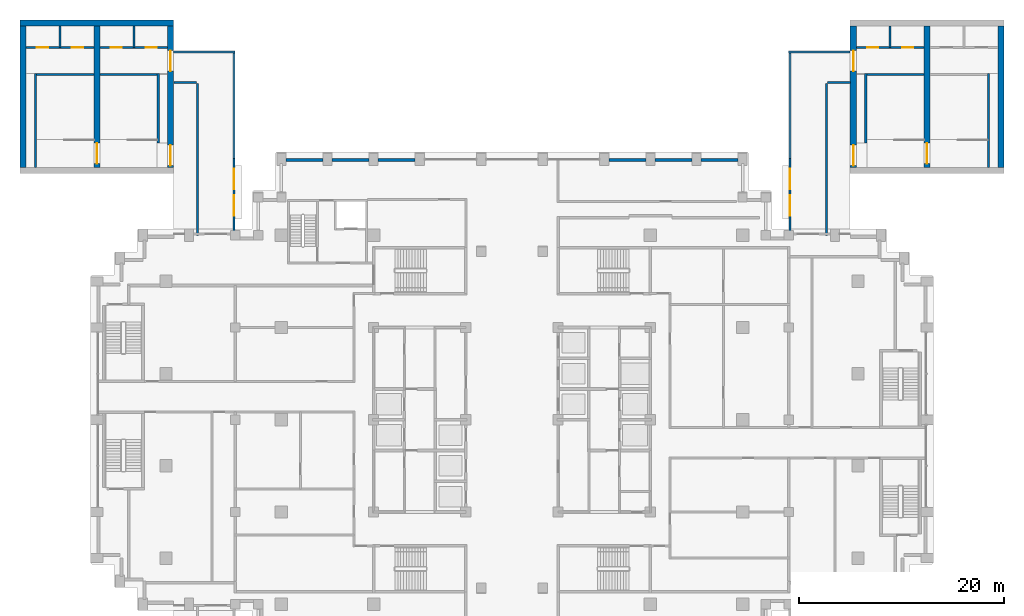
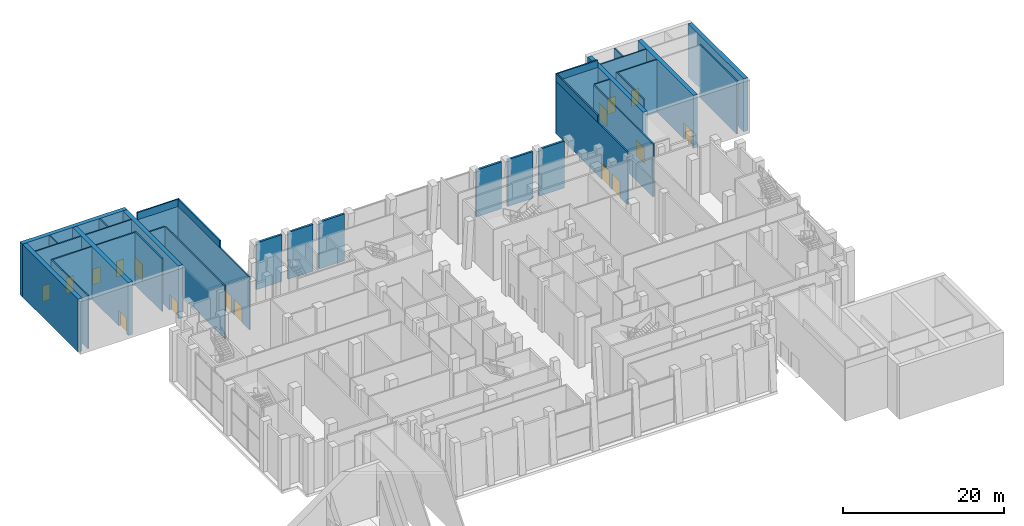
# One storey, part 16 of 24: 38 walls, 16 doors, 16 openings.
"""IFC4 building model written with IfcOpenShell, lengths in metres."""

from ifc_helpers import new_model, si_unit, direction, frame, frame_2d, origin, place, context, subcontext, project, spatial, rectangle, extrude, material, layer, layer_set, type_object, element, fill, save


model = new_model("IFC4")

# Units and contexts
model_context = context("Model", 3, precision=1e-05, world=origin(), true_north=direction((0.0, 1.0)))
body_context = subcontext(model_context, "Body", "Model", "MODEL_VIEW")
ifc_project = project(units=[si_unit("LENGTHUNIT", "METRE"), si_unit("AREAUNIT", "SQUARE_METRE"), si_unit("VOLUMEUNIT", "CUBIC_METRE"), si_unit("PLANEANGLEUNIT", "RADIAN"), si_unit("MASSUNIT", "GRAM", prefix="KILO")], contexts=[model_context])

# Site, building, storey
site_placement = place(None, origin())
site = spatial("IfcSite", under=ifc_project, at=site_placement, CompositionType="ELEMENT")
building_placement = place(site_placement, origin())
building = spatial("IfcBuilding", under=site, at=building_placement, Name="Corbelhall Arena Tower", CompositionType="ELEMENT")
storey_placement = place(building_placement, frame((0.0, 0.0, 60.0)))
storey = spatial("IfcBuildingStorey", under=building, at=storey_placement, Name="L08", CompositionType="ELEMENT", Elevation=60.0)

# Wall, openings, doors
ifc_material_1 = material(Name="Concrete C80/95", Category="concrete")
ifc_layer_1 = layer(ifc_material_1, 0.60009765625)
ifc_layer_set_1 = layer_set([ifc_layer_1], Name="AR-CORE-WALL-L08")
wall_type_1 = type_object("IfcWallType", Name="AR-CORE-WALL-L08", PredefinedType="SHEAR", material=ifc_layer_set_1)
wall_1_placement = place(storey_placement, frame((33.300048828125, 24.60009765625, 0.0), z_axis=(0.0, 0.0, 1.0), x_axis=(0.0, 1.0, 0.0)))
wall_1 = element("IfcWall", 1, at=wall_1_placement, inside=storey, type_object=wall_type_1, Name="Core NE wall", PredefinedType="SHEAR", context=body_context, shape_type="SweptSolid", body=[
    extrude(rectangle(XDim=13.7998046875, YDim=0.60009765625, at=frame_2d((6.89990234375, 0.0))), origin(), (0.0, 0.0, 1.0), 8.0),
])
opening_1_placement = place(wall_1_placement, frame((9.39990234375, 0.0, 0.0)))
opening_1 = element("IfcOpeningElement", 2, at=opening_1_placement, cuts=wall_1, Name="Opening DA0297", PredefinedType="OPENING", context=body_context, shape_type="SweptSolid", body=[
    extrude(rectangle(XDim=2.0, YDim=2.39990234375, at=frame_2d((1.0, 1.199951171875))), frame((0.0, 0.300048828125, 0.0), z_axis=(0.0, -1.0, 0.0), x_axis=(1.0, 0.0, 0.0)), (0.0, 0.0, 1.0), 0.60009765625),
])
opening_2_placement = place(wall_1_placement, frame((0.199951171875, 0.0, 0.0)))
opening_2 = element("IfcOpeningElement", 3, at=opening_2_placement, cuts=wall_1, Name="Opening DA0298", PredefinedType="OPENING", context=body_context, shape_type="SweptSolid", body=[
    extrude(rectangle(XDim=2.0, YDim=2.39990234375, at=frame_2d((1.0, 1.199951171875))), frame((0.0, 0.300048828125, 0.0), z_axis=(0.0, -1.0, 0.0), x_axis=(1.0, 0.0, 0.0)), (0.0, 0.0, 1.0), 0.60009765625),
])
ifc_material_2 = material(Name="Steel and glass", Category="steel")
door_type_1 = type_object("IfcDoorType", Name="AR-EXIT-DOOR", OperationType="DOUBLE_DOOR_SINGLE_SWING", PredefinedType="DOOR", material=ifc_material_2)
door_1_placement = place(opening_1_placement, origin())
door_1 = element("IfcDoor", 4, at=door_1_placement, inside=storey, type_object=door_type_1, Name="Core NE lobby door", OperationType="DOUBLE_DOOR_SINGLE_SWING", OverallHeight=2.39990234375, OverallWidth=2.0, PredefinedType="DOOR", context=body_context, shape_type="SweptSolid", body=[
    extrude(rectangle(XDim=2.0, YDim=2.39990234375, at=frame_2d((1.0, 1.199951171875))), frame((0.0, 0.02490234375, 0.0), z_axis=(0.0, -1.0, 0.0), x_axis=(1.0, 0.0, 0.0)), (0.0, 0.0, 1.0), 0.050048828125),
])
fill(opening_1, door_1)
door_2_placement = place(opening_2_placement, origin())
door_2 = element("IfcDoor", 5, at=door_2_placement, inside=storey, type_object=door_type_1, Name="Core NE stair door", OperationType="DOUBLE_DOOR_SINGLE_SWING", OverallHeight=2.39990234375, OverallWidth=2.0, PredefinedType="DOOR", context=body_context, shape_type="SweptSolid", body=[
    extrude(rectangle(XDim=2.0, YDim=2.39990234375, at=frame_2d((1.0, 1.199951171875))), frame((0.0, 0.02490234375, 0.0), z_axis=(0.0, -1.0, 0.0), x_axis=(1.0, 0.0, 0.0)), (0.0, 0.0, 1.0), 0.050048828125),
])
fill(opening_2, door_2)

# Wall
wall_2_placement = place(storey_placement, frame((47.699951171875, 24.60009765625, 0.0), z_axis=(0.0, 0.0, 1.0), x_axis=(0.0, 1.0, 0.0)))
element("IfcWall", 6, at=wall_2_placement, inside=storey, type_object=wall_type_1, Name="Core NE wall", PredefinedType="SHEAR", context=body_context, shape_type="SweptSolid", body=[
    extrude(rectangle(XDim=13.7998046875, YDim=0.60009765625, at=frame_2d((6.89990234375, 0.0))), origin(), (0.0, 0.0, 1.0), 8.0),
])

# Wall, opening, door
wall_3_placement = place(storey_placement, frame((40.5, 24.60009765625, 0.0), z_axis=(0.0, 0.0, 1.0), x_axis=(0.0, 1.0, 0.0)))
wall_3 = element("IfcWall", 7, at=wall_3_placement, inside=storey, type_object=wall_type_1, Name="Core NE wall", PredefinedType="SHEAR", context=body_context, shape_type="SweptSolid", body=[
    extrude(rectangle(XDim=13.7998046875, YDim=0.60009765625, at=frame_2d((6.89990234375, 0.0))), origin(), (0.0, 0.0, 1.0), 8.0),
])
opening_3_placement = place(wall_3_placement, frame((0.39990234375, 0.0, 0.0)))
opening_3 = element("IfcOpeningElement", 8, at=opening_3_placement, cuts=wall_3, Name="Opening DA0049", PredefinedType="OPENING", context=body_context, shape_type="SweptSolid", body=[
    extrude(rectangle(XDim=2.0, YDim=2.39990234375, at=frame_2d((1.0, 1.199951171875))), frame((0.0, 0.300048828125, 0.0), z_axis=(0.0, -1.0, 0.0), x_axis=(1.0, 0.0, 0.0)), (0.0, 0.0, 1.0), 0.60009765625),
])
door_3_placement = place(opening_3_placement, origin())
door_3 = element("IfcDoor", 9, at=door_3_placement, inside=storey, type_object=door_type_1, Name="Stair hall door NE", OperationType="DOUBLE_DOOR_SINGLE_SWING", OverallHeight=2.39990234375, OverallWidth=2.0, PredefinedType="DOOR", context=body_context, shape_type="SweptSolid", body=[
    extrude(rectangle(XDim=2.0, YDim=2.39990234375, at=frame_2d((1.0, 1.199951171875))), frame((0.0, 0.02490234375, 0.0), z_axis=(0.0, -1.0, 0.0), x_axis=(1.0, 0.0, 0.0)), (0.0, 0.0, 1.0), 0.050048828125),
])
fill(opening_3, door_3)

# Walls
wall_4_placement = place(storey_placement, frame((-48.0, 38.699951171875, 0.0), z_axis=(0.0, 0.0, 1.0), x_axis=(1.0, 0.0, 0.0)))
element("IfcWall", 10, at=wall_4_placement, inside=storey, type_object=wall_type_1, Name="Core NW wall", PredefinedType="SHEAR", context=body_context, shape_type="SweptSolid", body=[
    extrude(rectangle(XDim=15.0, YDim=0.60009765625, at=frame_2d((7.5, 0.0))), origin(), (0.0, 0.0, 1.0), 8.0),
])
wall_5_placement = place(storey_placement, frame((-47.699951171875, 24.60009765625, 0.0), z_axis=(0.0, 0.0, 1.0), x_axis=(0.0, 1.0, 0.0)))
element("IfcWall", 11, at=wall_5_placement, inside=storey, type_object=wall_type_1, Name="Core NW wall", PredefinedType="SHEAR", context=body_context, shape_type="SweptSolid", body=[
    extrude(rectangle(XDim=13.7998046875, YDim=0.60009765625, at=frame_2d((6.89990234375, 0.0))), origin(), (0.0, 0.0, 1.0), 8.0),
])

# Wall, openings, doors
wall_6_placement = place(storey_placement, frame((-33.300048828125, 24.60009765625, 0.0), z_axis=(0.0, 0.0, 1.0), x_axis=(0.0, 1.0, 0.0)))
wall_6 = element("IfcWall", 12, at=wall_6_placement, inside=storey, type_object=wall_type_1, Name="Core NW wall", PredefinedType="SHEAR", context=body_context, shape_type="SweptSolid", body=[
    extrude(rectangle(XDim=13.7998046875, YDim=0.60009765625, at=frame_2d((6.89990234375, 0.0))), origin(), (0.0, 0.0, 1.0), 8.0),
])
opening_4_placement = place(wall_6_placement, frame((9.39990234375, 0.0, 0.0)))
opening_4 = element("IfcOpeningElement", 13, at=opening_4_placement, cuts=wall_6, Name="Opening DA0303", PredefinedType="OPENING", context=body_context, shape_type="SweptSolid", body=[
    extrude(rectangle(XDim=2.0, YDim=2.39990234375, at=frame_2d((1.0, 1.199951171875))), frame((0.0, 0.300048828125, 0.0), z_axis=(0.0, -1.0, 0.0), x_axis=(1.0, 0.0, 0.0)), (0.0, 0.0, 1.0), 0.60009765625),
])
opening_5_placement = place(wall_6_placement, frame((0.199951171875, 0.0, 0.0)))
opening_5 = element("IfcOpeningElement", 14, at=opening_5_placement, cuts=wall_6, Name="Opening DA0304", PredefinedType="OPENING", context=body_context, shape_type="SweptSolid", body=[
    extrude(rectangle(XDim=2.0, YDim=2.39990234375, at=frame_2d((1.0, 1.199951171875))), frame((0.0, 0.300048828125, 0.0), z_axis=(0.0, -1.0, 0.0), x_axis=(1.0, 0.0, 0.0)), (0.0, 0.0, 1.0), 0.60009765625),
])
door_4_placement = place(opening_4_placement, frame((2.0, 0.0, 0.0), z_axis=(0.0, 0.0, 1.0), x_axis=(-1.0, 0.0, 0.0)))
door_4 = element("IfcDoor", 15, at=door_4_placement, inside=storey, type_object=door_type_1, Name="Core NW lobby door", OperationType="DOUBLE_DOOR_SINGLE_SWING", OverallHeight=2.39990234375, OverallWidth=2.0, PredefinedType="DOOR", context=body_context, shape_type="SweptSolid", body=[
    extrude(rectangle(XDim=2.0, YDim=2.39990234375, at=frame_2d((1.0, 1.199951171875))), frame((0.0, 0.02490234375, 0.0), z_axis=(0.0, -1.0, 0.0), x_axis=(1.0, 0.0, 0.0)), (0.0, 0.0, 1.0), 0.050048828125),
])
fill(opening_4, door_4)
door_5_placement = place(opening_5_placement, frame((2.0, 0.0, 0.0), z_axis=(0.0, 0.0, 1.0), x_axis=(-1.0, 0.0, 0.0)))
door_5 = element("IfcDoor", 16, at=door_5_placement, inside=storey, type_object=door_type_1, Name="Core NW stair door", OperationType="DOUBLE_DOOR_SINGLE_SWING", OverallHeight=2.39990234375, OverallWidth=2.0, PredefinedType="DOOR", context=body_context, shape_type="SweptSolid", body=[
    extrude(rectangle(XDim=2.0, YDim=2.39990234375, at=frame_2d((1.0, 1.199951171875))), frame((0.0, 0.02490234375, 0.0), z_axis=(0.0, -1.0, 0.0), x_axis=(1.0, 0.0, 0.0)), (0.0, 0.0, 1.0), 0.050048828125),
])
fill(opening_5, door_5)

# Wall, opening, door
wall_7_placement = place(storey_placement, frame((-40.5, 24.60009765625, 0.0), z_axis=(0.0, 0.0, 1.0), x_axis=(0.0, 1.0, 0.0)))
wall_7 = element("IfcWall", 17, at=wall_7_placement, inside=storey, type_object=wall_type_1, Name="Core NW wall", PredefinedType="SHEAR", context=body_context, shape_type="SweptSolid", body=[
    extrude(rectangle(XDim=13.7998046875, YDim=0.60009765625, at=frame_2d((6.89990234375, 0.0))), origin(), (0.0, 0.0, 1.0), 8.0),
])
opening_6_placement = place(wall_7_placement, frame((0.39990234375, 0.0, 0.0)))
opening_6 = element("IfcOpeningElement", 18, at=opening_6_placement, cuts=wall_7, Name="Opening DA0050", PredefinedType="OPENING", context=body_context, shape_type="SweptSolid", body=[
    extrude(rectangle(XDim=2.0, YDim=2.39990234375, at=frame_2d((1.0, 1.199951171875))), frame((0.0, 0.300048828125, 0.0), z_axis=(0.0, -1.0, 0.0), x_axis=(1.0, 0.0, 0.0)), (0.0, 0.0, 1.0), 0.60009765625),
])
door_6_placement = place(opening_6_placement, origin())
door_6 = element("IfcDoor", 19, at=door_6_placement, inside=storey, type_object=door_type_1, Name="Stair hall door NW", OperationType="DOUBLE_DOOR_SINGLE_SWING", OverallHeight=2.39990234375, OverallWidth=2.0, PredefinedType="DOOR", context=body_context, shape_type="SweptSolid", body=[
    extrude(rectangle(XDim=2.0, YDim=2.39990234375, at=frame_2d((1.0, 1.199951171875))), frame((0.0, 0.02490234375, 0.0), z_axis=(0.0, -1.0, 0.0), x_axis=(1.0, 0.0, 0.0)), (0.0, 0.0, 1.0), 0.050048828125),
])
fill(opening_6, door_6)

# Wall, openings, doors
ifc_material_3 = material(Name="Reinforced concrete C40/50", Category="concrete")
ifc_layer_2 = layer(ifc_material_3, 0.199951171875)
ifc_layer_set_2 = layer_set([ifc_layer_2], Name="AR-LINK-WALL")
wall_type_2 = type_object("IfcWallType", Name="AR-LINK-WALL", PredefinedType="SOLIDWALL", material=ifc_layer_set_2)
wall_8_placement = place(storey_placement, frame((27.10009765625, 18.10009765625, 0.0), z_axis=(0.0, 0.0, 1.0), x_axis=(0.0, 1.0, 0.0)))
wall_8 = element("IfcWall", 20, at=wall_8_placement, inside=storey, type_object=wall_type_2, Name="Gallery LK1 wall", PredefinedType="SOLIDWALL", context=body_context, shape_type="SweptSolid", body=[
    extrude(rectangle(XDim=17.7998046875, YDim=0.199951171875, at=frame_2d((8.89990234375, 0.0))), origin(), (0.0, 0.0, 1.0), 8.0),
])
opening_7_placement = place(wall_8_placement, frame((1.800048828125, 0.0, 0.0)))
opening_7 = element("IfcOpeningElement", 21, at=opening_7_placement, cuts=wall_8, Name="Opening DA0295", PredefinedType="OPENING", context=body_context, shape_type="SweptSolid", body=[
    extrude(rectangle(XDim=2.0, YDim=2.39990234375, at=frame_2d((1.0, 1.199951171875))), frame((0.0, 0.10009765625, 0.0), z_axis=(0.0, -1.0, 0.0), x_axis=(1.0, 0.0, 0.0)), (0.0, 0.0, 1.0), 0.199951171875),
])
opening_8_placement = place(wall_8_placement, frame((4.39990234375, 0.0, 0.0)))
opening_8 = element("IfcOpeningElement", 22, at=opening_8_placement, cuts=wall_8, Name="Opening DA0296", PredefinedType="OPENING", context=body_context, shape_type="SweptSolid", body=[
    extrude(rectangle(XDim=2.0, YDim=2.39990234375, at=frame_2d((1.0, 1.199951171875))), frame((0.0, 0.10009765625, 0.0), z_axis=(0.0, -1.0, 0.0), x_axis=(1.0, 0.0, 0.0)), (0.0, 0.0, 1.0), 0.199951171875),
])
door_7_placement = place(opening_7_placement, origin())
door_7 = element("IfcDoor", 23, at=door_7_placement, inside=storey, type_object=door_type_1, Name="Gallery LK1 plate door 1", OperationType="DOUBLE_DOOR_SINGLE_SWING", OverallHeight=2.39990234375, OverallWidth=2.0, PredefinedType="DOOR", context=body_context, shape_type="SweptSolid", body=[
    extrude(rectangle(XDim=2.0, YDim=2.39990234375, at=frame_2d((1.0, 1.199951171875))), frame((0.0, 0.02490234375, 0.0), z_axis=(0.0, -1.0, 0.0), x_axis=(1.0, 0.0, 0.0)), (0.0, 0.0, 1.0), 0.050048828125),
])
fill(opening_7, door_7)
door_8_placement = place(opening_8_placement, origin())
door_8 = element("IfcDoor", 24, at=door_8_placement, inside=storey, type_object=door_type_1, Name="Gallery LK1 plate door 2", OperationType="DOUBLE_DOOR_SINGLE_SWING", OverallHeight=2.39990234375, OverallWidth=2.0, PredefinedType="DOOR", context=body_context, shape_type="SweptSolid", body=[
    extrude(rectangle(XDim=2.0, YDim=2.39990234375, at=frame_2d((1.0, 1.199951171875))), frame((0.0, 0.02490234375, 0.0), z_axis=(0.0, -1.0, 0.0), x_axis=(1.0, 0.0, 0.0)), (0.0, 0.0, 1.0), 0.050048828125),
])
fill(opening_8, door_8)

# Walls
wall_9_placement = place(storey_placement, frame((30.699951171875, 18.0, 0.0), z_axis=(0.0, 0.0, 1.0), x_axis=(0.0, 1.0, 0.0)))
element("IfcWall", 25, at=wall_9_placement, inside=storey, type_object=wall_type_2, Name="Gallery LK1 wall", PredefinedType="SOLIDWALL", context=body_context, shape_type="SweptSolid", body=[
    extrude(rectangle(XDim=14.800048828125, YDim=0.199951171875, at=frame_2d((7.39990234375, 0.0))), origin(), (0.0, 0.0, 1.0), 8.0),
])
wall_10_placement = place(storey_placement, frame((30.800048828125, 32.89990234375, 0.0), z_axis=(0.0, 0.0, 1.0), x_axis=(1.0, 0.0, 0.0)))
element("IfcWall", 26, at=wall_10_placement, inside=storey, type_object=wall_type_2, Name="Gallery LK1 wall", PredefinedType="SOLIDWALL", context=body_context, shape_type="SweptSolid", body=[
    extrude(rectangle(XDim=2.199951171875, YDim=0.199951171875, at=frame_2d((1.10009765625, 0.0))), origin(), (0.0, 0.0, 1.0), 8.0),
])
wall_11_placement = place(storey_placement, frame((27.0, 35.89990234375, 0.0), z_axis=(0.0, 0.0, 1.0), x_axis=(1.0, 0.0, 0.0)))
element("IfcWall", 27, at=wall_11_placement, inside=storey, type_object=wall_type_2, Name="Gallery LK1 wall", PredefinedType="SOLIDWALL", context=body_context, shape_type="SweptSolid", body=[
    extrude(rectangle(XDim=6.0, YDim=0.199951171875, at=frame_2d((3.0, 0.0))), origin(), (0.0, 0.0, 1.0), 8.0),
])

# Wall, openings, doors
wall_12_placement = place(storey_placement, frame((-27.10009765625, 18.10009765625, 0.0), z_axis=(0.0, 0.0, 1.0), x_axis=(0.0, 1.0, 0.0)))
wall_12 = element("IfcWall", 28, at=wall_12_placement, inside=storey, type_object=wall_type_2, Name="Gallery LK2 wall", PredefinedType="SOLIDWALL", context=body_context, shape_type="SweptSolid", body=[
    extrude(rectangle(XDim=17.7998046875, YDim=0.199951171875, at=frame_2d((8.89990234375, 0.0))), origin(), (0.0, 0.0, 1.0), 8.0),
])
opening_9_placement = place(wall_12_placement, frame((1.800048828125, 0.0, 0.0)))
opening_9 = element("IfcOpeningElement", 29, at=opening_9_placement, cuts=wall_12, Name="Opening DA0301", PredefinedType="OPENING", context=body_context, shape_type="SweptSolid", body=[
    extrude(rectangle(XDim=2.0, YDim=2.39990234375, at=frame_2d((1.0, 1.199951171875))), frame((0.0, 0.10009765625, 0.0), z_axis=(0.0, -1.0, 0.0), x_axis=(1.0, 0.0, 0.0)), (0.0, 0.0, 1.0), 0.199951171875),
])
opening_10_placement = place(wall_12_placement, frame((4.39990234375, 0.0, 0.0)))
opening_10 = element("IfcOpeningElement", 30, at=opening_10_placement, cuts=wall_12, Name="Opening DA0302", PredefinedType="OPENING", context=body_context, shape_type="SweptSolid", body=[
    extrude(rectangle(XDim=2.0, YDim=2.39990234375, at=frame_2d((1.0, 1.199951171875))), frame((0.0, 0.10009765625, 0.0), z_axis=(0.0, -1.0, 0.0), x_axis=(1.0, 0.0, 0.0)), (0.0, 0.0, 1.0), 0.199951171875),
])
door_9_placement = place(opening_9_placement, frame((2.0, 0.0, 0.0), z_axis=(0.0, 0.0, 1.0), x_axis=(-1.0, 0.0, 0.0)))
door_9 = element("IfcDoor", 31, at=door_9_placement, inside=storey, type_object=door_type_1, Name="Gallery LK2 plate door 1", OperationType="DOUBLE_DOOR_SINGLE_SWING", OverallHeight=2.39990234375, OverallWidth=2.0, PredefinedType="DOOR", context=body_context, shape_type="SweptSolid", body=[
    extrude(rectangle(XDim=2.0, YDim=2.39990234375, at=frame_2d((1.0, 1.199951171875))), frame((0.0, 0.02490234375, 0.0), z_axis=(0.0, -1.0, 0.0), x_axis=(1.0, 0.0, 0.0)), (0.0, 0.0, 1.0), 0.050048828125),
])
fill(opening_9, door_9)
door_10_placement = place(opening_10_placement, frame((2.0, 0.0, 0.0), z_axis=(0.0, 0.0, 1.0), x_axis=(-1.0, 0.0, 0.0)))
door_10 = element("IfcDoor", 32, at=door_10_placement, inside=storey, type_object=door_type_1, Name="Gallery LK2 plate door 2", OperationType="DOUBLE_DOOR_SINGLE_SWING", OverallHeight=2.39990234375, OverallWidth=2.0, PredefinedType="DOOR", context=body_context, shape_type="SweptSolid", body=[
    extrude(rectangle(XDim=2.0, YDim=2.39990234375, at=frame_2d((1.0, 1.199951171875))), frame((0.0, 0.02490234375, 0.0), z_axis=(0.0, -1.0, 0.0), x_axis=(1.0, 0.0, 0.0)), (0.0, 0.0, 1.0), 0.050048828125),
])
fill(opening_10, door_10)

# Walls
wall_13_placement = place(storey_placement, frame((-30.699951171875, 18.0, 0.0), z_axis=(0.0, 0.0, 1.0), x_axis=(0.0, 1.0, 0.0)))
element("IfcWall", 33, at=wall_13_placement, inside=storey, type_object=wall_type_2, Name="Gallery LK2 wall", PredefinedType="SOLIDWALL", context=body_context, shape_type="SweptSolid", body=[
    extrude(rectangle(XDim=14.800048828125, YDim=0.199951171875, at=frame_2d((7.39990234375, 0.0))), origin(), (0.0, 0.0, 1.0), 8.0),
])
wall_14_placement = place(storey_placement, frame((-33.0, 32.89990234375, 0.0), z_axis=(0.0, 0.0, 1.0), x_axis=(1.0, 0.0, 0.0)))
element("IfcWall", 34, at=wall_14_placement, inside=storey, type_object=wall_type_2, Name="Gallery LK2 wall", PredefinedType="SOLIDWALL", context=body_context, shape_type="SweptSolid", body=[
    extrude(rectangle(XDim=2.199951171875, YDim=0.199951171875, at=frame_2d((1.10009765625, 0.0))), origin(), (0.0, 0.0, 1.0), 8.0),
])
wall_15_placement = place(storey_placement, frame((-33.0, 35.89990234375, 0.0), z_axis=(0.0, 0.0, 1.0), x_axis=(1.0, 0.0, 0.0)))
element("IfcWall", 35, at=wall_15_placement, inside=storey, type_object=wall_type_2, Name="Gallery LK2 wall", PredefinedType="SOLIDWALL", context=body_context, shape_type="SweptSolid", body=[
    extrude(rectangle(XDim=6.0, YDim=0.199951171875, at=frame_2d((3.0, 0.0))), origin(), (0.0, 0.0, 1.0), 8.0),
])
ifc_layer_3 = layer(ifc_material_3, 0.199951171875)
ifc_layer_set_3 = layer_set([ifc_layer_3], Name="AR-PARAPET")
wall_type_3 = type_object("IfcWallType", Name="AR-PARAPET", PredefinedType="PARAPET", material=ifc_layer_set_3)
wall_16_placement = place(storey_placement, frame((27.0, 35.89990234375, 8.0), z_axis=(0.0, 0.0, 1.0), x_axis=(1.0, 0.0, 0.0)))
element("IfcWall", 36, at=wall_16_placement, inside=storey, type_object=wall_type_3, Name="Gallery LK1 parapet", PredefinedType="PARAPET", context=body_context, shape_type="SweptSolid", body=[
    extrude(rectangle(XDim=6.0, YDim=0.199951171875, at=frame_2d((3.0, 0.0))), origin(), (0.0, 0.0, 1.0), 1.10009765625),
])
wall_17_placement = place(storey_placement, frame((27.10009765625, 25.5, 8.0), z_axis=(0.0, 0.0, 1.0), x_axis=(0.0, 1.0, 0.0)))
element("IfcWall", 37, at=wall_17_placement, inside=storey, type_object=wall_type_3, Name="Gallery LK1 parapet", PredefinedType="PARAPET", context=body_context, shape_type="SweptSolid", body=[
    extrude(rectangle(XDim=10.300048828125, YDim=0.199951171875, at=frame_2d((5.14990234375, 0.0))), origin(), (0.0, 0.0, 1.0), 1.10009765625),
])
wall_18_placement = place(storey_placement, frame((-33.0, 35.89990234375, 8.0), z_axis=(0.0, 0.0, 1.0), x_axis=(1.0, 0.0, 0.0)))
element("IfcWall", 38, at=wall_18_placement, inside=storey, type_object=wall_type_3, Name="Gallery LK2 parapet", PredefinedType="PARAPET", context=body_context, shape_type="SweptSolid", body=[
    extrude(rectangle(XDim=6.0, YDim=0.199951171875, at=frame_2d((3.0, 0.0))), origin(), (0.0, 0.0, 1.0), 1.10009765625),
])
wall_19_placement = place(storey_placement, frame((-27.10009765625, 25.5, 8.0), z_axis=(0.0, 0.0, 1.0), x_axis=(0.0, 1.0, 0.0)))
element("IfcWall", 39, at=wall_19_placement, inside=storey, type_object=wall_type_3, Name="Gallery LK2 parapet", PredefinedType="PARAPET", context=body_context, shape_type="SweptSolid", body=[
    extrude(rectangle(XDim=10.300048828125, YDim=0.199951171875, at=frame_2d((5.14990234375, 0.0))), origin(), (0.0, 0.0, 1.0), 1.10009765625),
])

# Wall, openings, doors
ifc_layer_4 = layer(ifc_material_3, 0.199951171875)
ifc_layer_set_4 = layer_set([ifc_layer_4], Name="AR-SHAFT-WALL")
wall_type_4 = type_object("IfcWallType", Name="AR-SHAFT-WALL", PredefinedType="SHEAR", material=ifc_layer_set_4)
wall_20_placement = place(storey_placement, frame((33.60009765625, 36.300048828125, 0.0), z_axis=(0.0, 0.0, 1.0), x_axis=(1.0, 0.0, 0.0)))
wall_20 = element("IfcWall", 40, at=wall_20_placement, inside=storey, type_object=wall_type_4, Name="Lift lobby wall NE", PredefinedType="SHEAR", context=body_context, shape_type="SweptSolid", body=[
    extrude(rectangle(XDim=6.599853515625, YDim=0.199951171875, at=frame_2d((3.2998046875, 0.0))), origin(), (0.0, 0.0, 1.0), 8.0),
])
opening_11_placement = place(wall_20_placement, frame((1.050048828125, 0.0, 0.0)))
opening_11 = element("IfcOpeningElement", 41, at=opening_11_placement, cuts=wall_20, Name="Opening LD0157", PredefinedType="OPENING", context=body_context, shape_type="SweptSolid", body=[
    extrude(rectangle(XDim=1.10009765625, YDim=2.39990234375, at=frame_2d((0.550048828125, 1.199951171875))), frame((0.0, 0.10009765625, 0.0), z_axis=(0.0, -1.0, 0.0), x_axis=(1.0, 0.0, 0.0)), (0.0, 0.0, 1.0), 0.199951171875),
])
opening_12_placement = place(wall_20_placement, frame((4.449951171875, 0.0, 0.0)))
opening_12 = element("IfcOpeningElement", 42, at=opening_12_placement, cuts=wall_20, Name="Opening LD0158", PredefinedType="OPENING", context=body_context, shape_type="SweptSolid", body=[
    extrude(rectangle(XDim=1.10009765625, YDim=2.39990234375, at=frame_2d((0.550048828125, 1.199951171875))), frame((0.0, 0.10009765625, 0.0), z_axis=(0.0, -1.0, 0.0), x_axis=(1.0, 0.0, 0.0)), (0.0, 0.0, 1.0), 0.199951171875),
])
ifc_material_4 = material(Name="Stainless steel A4", Category="steel")
door_type_2 = type_object("IfcDoorType", Name="AR-LANDING-DOOR", OperationType="DOUBLE_DOOR_SLIDING", PredefinedType="DOOR", material=ifc_material_4)
door_11_placement = place(opening_11_placement, origin())
door_11 = element("IfcDoor", 43, at=door_11_placement, inside=storey, type_object=door_type_2, Name="Landing door NE LF1 L08", OperationType="DOUBLE_DOOR_SLIDING", OverallHeight=2.39990234375, OverallWidth=1.10009765625, PredefinedType="DOOR", context=body_context, shape_type="SweptSolid", body=[
    extrude(rectangle(XDim=1.10009765625, YDim=2.39990234375, at=frame_2d((0.550048828125, 1.199951171875))), frame((0.0, 0.02490234375, 0.0), z_axis=(0.0, -1.0, 0.0), x_axis=(1.0, 0.0, 0.0)), (0.0, 0.0, 1.0), 0.050048828125),
])
fill(opening_11, door_11)
door_12_placement = place(opening_12_placement, origin())
door_12 = element("IfcDoor", 44, at=door_12_placement, inside=storey, type_object=door_type_2, Name="Landing door NE LF2 L08", OperationType="DOUBLE_DOOR_SLIDING", OverallHeight=2.39990234375, OverallWidth=1.10009765625, PredefinedType="DOOR", context=body_context, shape_type="SweptSolid", body=[
    extrude(rectangle(XDim=1.10009765625, YDim=2.39990234375, at=frame_2d((0.550048828125, 1.199951171875))), frame((0.0, 0.02490234375, 0.0), z_axis=(0.0, -1.0, 0.0), x_axis=(1.0, 0.0, 0.0)), (0.0, 0.0, 1.0), 0.050048828125),
])
fill(opening_12, door_12)

# Wall
wall_21_placement = place(storey_placement, frame((36.89990234375, 36.300048828125, 0.0), z_axis=(0.0, 0.0, 1.0), x_axis=(0.0, 1.0, 0.0)))
element("IfcWall", 45, at=wall_21_placement, inside=storey, type_object=wall_type_4, Name="Shaft wall NE", PredefinedType="SHEAR", context=body_context, shape_type="SweptSolid", body=[
    extrude(rectangle(XDim=2.099853515625, YDim=0.199951171875, at=frame_2d((1.0498046875, 0.0))), origin(), (0.0, 0.0, 1.0), 8.0),
])

# Wall, openings, doors
wall_22_placement = place(storey_placement, frame((-47.39990234375, 36.300048828125, 0.0), z_axis=(0.0, 0.0, 1.0), x_axis=(1.0, 0.0, 0.0)))
wall_22 = element("IfcWall", 46, at=wall_22_placement, inside=storey, type_object=wall_type_4, Name="Lift lobby wall NW", PredefinedType="SHEAR", context=body_context, shape_type="SweptSolid", body=[
    extrude(rectangle(XDim=6.599853515625, YDim=0.199951171875, at=frame_2d((3.2998046875, 0.0))), origin(), (0.0, 0.0, 1.0), 8.0),
])
opening_13_placement = place(wall_22_placement, frame((1.050048828125, 0.0, 0.0)))
opening_13 = element("IfcOpeningElement", 47, at=opening_13_placement, cuts=wall_22, Name="Opening LD0201", PredefinedType="OPENING", context=body_context, shape_type="SweptSolid", body=[
    extrude(rectangle(XDim=1.10009765625, YDim=2.39990234375, at=frame_2d((0.550048828125, 1.199951171875))), frame((0.0, 0.10009765625, 0.0), z_axis=(0.0, -1.0, 0.0), x_axis=(1.0, 0.0, 0.0)), (0.0, 0.0, 1.0), 0.199951171875),
])
opening_14_placement = place(wall_22_placement, frame((4.449951171875, 0.0, 0.0)))
opening_14 = element("IfcOpeningElement", 48, at=opening_14_placement, cuts=wall_22, Name="Opening LD0202", PredefinedType="OPENING", context=body_context, shape_type="SweptSolid", body=[
    extrude(rectangle(XDim=1.10009765625, YDim=2.39990234375, at=frame_2d((0.550048828125, 1.199951171875))), frame((0.0, 0.10009765625, 0.0), z_axis=(0.0, -1.0, 0.0), x_axis=(1.0, 0.0, 0.0)), (0.0, 0.0, 1.0), 0.199951171875),
])
door_13_placement = place(opening_13_placement, origin())
door_13 = element("IfcDoor", 49, at=door_13_placement, inside=storey, type_object=door_type_2, Name="Landing door NW LF3 L08", OperationType="DOUBLE_DOOR_SLIDING", OverallHeight=2.39990234375, OverallWidth=1.10009765625, PredefinedType="DOOR", context=body_context, shape_type="SweptSolid", body=[
    extrude(rectangle(XDim=1.10009765625, YDim=2.39990234375, at=frame_2d((0.550048828125, 1.199951171875))), frame((0.0, 0.02490234375, 0.0), z_axis=(0.0, -1.0, 0.0), x_axis=(1.0, 0.0, 0.0)), (0.0, 0.0, 1.0), 0.050048828125),
])
fill(opening_13, door_13)
door_14_placement = place(opening_14_placement, origin())
door_14 = element("IfcDoor", 50, at=door_14_placement, inside=storey, type_object=door_type_2, Name="Landing door NW LF4 L08", OperationType="DOUBLE_DOOR_SLIDING", OverallHeight=2.39990234375, OverallWidth=1.10009765625, PredefinedType="DOOR", context=body_context, shape_type="SweptSolid", body=[
    extrude(rectangle(XDim=1.10009765625, YDim=2.39990234375, at=frame_2d((0.550048828125, 1.199951171875))), frame((0.0, 0.02490234375, 0.0), z_axis=(0.0, -1.0, 0.0), x_axis=(1.0, 0.0, 0.0)), (0.0, 0.0, 1.0), 0.050048828125),
])
fill(opening_14, door_14)

wall_23_placement = place(storey_placement, frame((-40.199951171875, 36.300048828125, 0.0), z_axis=(0.0, 0.0, 1.0), x_axis=(1.0, 0.0, 0.0)))
wall_23 = element("IfcWall", 51, at=wall_23_placement, inside=storey, type_object=wall_type_4, Name="Lift lobby wall NW", PredefinedType="SHEAR", context=body_context, shape_type="SweptSolid", body=[
    extrude(rectangle(XDim=6.599853515625, YDim=0.199951171875, at=frame_2d((3.2998046875, 0.0))), origin(), (0.0, 0.0, 1.0), 8.0),
])
opening_15_placement = place(wall_23_placement, frame((1.050048828125, 0.0, 0.0)))
opening_15 = element("IfcOpeningElement", 52, at=opening_15_placement, cuts=wall_23, Name="Opening LD0203", PredefinedType="OPENING", context=body_context, shape_type="SweptSolid", body=[
    extrude(rectangle(XDim=1.10009765625, YDim=2.39990234375, at=frame_2d((0.550048828125, 1.199951171875))), frame((0.0, 0.10009765625, 0.0), z_axis=(0.0, -1.0, 0.0), x_axis=(1.0, 0.0, 0.0)), (0.0, 0.0, 1.0), 0.199951171875),
])
opening_16_placement = place(wall_23_placement, frame((4.449951171875, 0.0, 0.0)))
opening_16 = element("IfcOpeningElement", 53, at=opening_16_placement, cuts=wall_23, Name="Opening LD0204", PredefinedType="OPENING", context=body_context, shape_type="SweptSolid", body=[
    extrude(rectangle(XDim=1.10009765625, YDim=2.39990234375, at=frame_2d((0.550048828125, 1.199951171875))), frame((0.0, 0.10009765625, 0.0), z_axis=(0.0, -1.0, 0.0), x_axis=(1.0, 0.0, 0.0)), (0.0, 0.0, 1.0), 0.199951171875),
])
door_15_placement = place(opening_15_placement, origin())
door_15 = element("IfcDoor", 54, at=door_15_placement, inside=storey, type_object=door_type_2, Name="Landing door NW LF1 L08", OperationType="DOUBLE_DOOR_SLIDING", OverallHeight=2.39990234375, OverallWidth=1.10009765625, PredefinedType="DOOR", context=body_context, shape_type="SweptSolid", body=[
    extrude(rectangle(XDim=1.10009765625, YDim=2.39990234375, at=frame_2d((0.550048828125, 1.199951171875))), frame((0.0, 0.02490234375, 0.0), z_axis=(0.0, -1.0, 0.0), x_axis=(1.0, 0.0, 0.0)), (0.0, 0.0, 1.0), 0.050048828125),
])
fill(opening_15, door_15)
door_16_placement = place(opening_16_placement, origin())
door_16 = element("IfcDoor", 55, at=door_16_placement, inside=storey, type_object=door_type_2, Name="Landing door NW LF2 L08", OperationType="DOUBLE_DOOR_SLIDING", OverallHeight=2.39990234375, OverallWidth=1.10009765625, PredefinedType="DOOR", context=body_context, shape_type="SweptSolid", body=[
    extrude(rectangle(XDim=1.10009765625, YDim=2.39990234375, at=frame_2d((0.550048828125, 1.199951171875))), frame((0.0, 0.02490234375, 0.0), z_axis=(0.0, -1.0, 0.0), x_axis=(1.0, 0.0, 0.0)), (0.0, 0.0, 1.0), 0.050048828125),
])
fill(opening_16, door_16)

# Walls
for number, where, z_axis, x_axis, name in (
    (56, (-36.89990234375, 36.300048828125, 0.0), (0.0, 0.0, 1.0), (0.0, 1.0, 0.0), "Shaft wall NW"),
    (57, (-44.10009765625, 36.300048828125, 0.0), (0.0, 0.0, 1.0), (0.0, 1.0, 0.0), "Shaft wall NW"),
):
    element("IfcWall", number, at=place(storey_placement, frame(where, z_axis=z_axis, x_axis=x_axis)), inside=storey, type_object=wall_type_4, Name=name, PredefinedType="SHEAR", context=body_context, shape_type="SweptSolid", body=[
        extrude(rectangle(XDim=2.099853515625, YDim=0.199951171875, at=frame_2d((1.0498046875, 0.0))), origin(), (0.0, 0.0, 1.0), 8.0),
    ])
ifc_layer_5 = layer(ifc_material_3, 0.199951171875)
ifc_layer_set_5 = layer_set([ifc_layer_5], Name="AR-STAIR-WALL")
wall_type_5 = type_object("IfcWallType", Name="AR-STAIR-WALL", PredefinedType="SOLIDWALL", material=ifc_layer_set_5)
wall_24_placement = place(storey_placement, frame((34.510009765625, 27.0, 0.0), z_axis=(0.0, 0.0, 1.0), x_axis=(0.0, 1.0, 0.0)))
element("IfcWall", 58, at=wall_24_placement, inside=storey, type_object=wall_type_5, Name="Stair AS1 wall", PredefinedType="SOLIDWALL", context=body_context, shape_type="SweptSolid", body=[
    extrude(rectangle(XDim=6.800048828125, YDim=0.199951171875, at=frame_2d((3.39990234375, 0.0))), origin(), (0.0, 0.0, 1.0), 8.0),
])
wall_25_placement = place(storey_placement, frame((34.610107421875, 33.699951171875, 0.0), z_axis=(0.0, 0.0, 1.0), x_axis=(1.0, 0.0, 0.0)))
element("IfcWall", 59, at=wall_25_placement, inside=storey, type_object=wall_type_5, Name="Stair AS1 wall", PredefinedType="SOLIDWALL", context=body_context, shape_type="SweptSolid", body=[
    extrude(rectangle(XDim=5.58984375, YDim=0.199951171875, at=frame_2d((2.794921875, 0.0))), origin(), (0.0, 0.0, 1.0), 8.0),
])
wall_26_placement = place(storey_placement, frame((46.489990234375, 24.60009765625, 0.0), z_axis=(0.0, 0.0, 1.0), x_axis=(0.0, 1.0, 0.0)))
element("IfcWall", 60, at=wall_26_placement, inside=storey, type_object=wall_type_5, Name="Stair AS2 wall", PredefinedType="SOLIDWALL", context=body_context, shape_type="SweptSolid", body=[
    extrude(rectangle(XDim=9.199951171875, YDim=0.199951171875, at=frame_2d((4.60009765625, 0.0))), origin(), (0.0, 0.0, 1.0), 8.0),
])
wall_27_placement = place(storey_placement, frame((-34.510009765625, 27.0, 0.0), z_axis=(0.0, 0.0, 1.0), x_axis=(0.0, 1.0, 0.0)))
element("IfcWall", 61, at=wall_27_placement, inside=storey, type_object=wall_type_5, Name="Stair AS3 wall", PredefinedType="SOLIDWALL", context=body_context, shape_type="SweptSolid", body=[
    extrude(rectangle(XDim=6.800048828125, YDim=0.199951171875, at=frame_2d((3.39990234375, 0.0))), origin(), (0.0, 0.0, 1.0), 8.0),
])
wall_28_placement = place(storey_placement, frame((-40.199951171875, 33.699951171875, 0.0), z_axis=(0.0, 0.0, 1.0), x_axis=(1.0, 0.0, 0.0)))
element("IfcWall", 62, at=wall_28_placement, inside=storey, type_object=wall_type_5, Name="Stair AS3 wall", PredefinedType="SOLIDWALL", context=body_context, shape_type="SweptSolid", body=[
    extrude(rectangle(XDim=5.58984375, YDim=0.199951171875, at=frame_2d((2.794921875, 0.0))), origin(), (0.0, 0.0, 1.0), 8.0),
])
wall_29_placement = place(storey_placement, frame((-46.489990234375, 24.60009765625, 0.0), z_axis=(0.0, 0.0, 1.0), x_axis=(0.0, 1.0, 0.0)))
element("IfcWall", 63, at=wall_29_placement, inside=storey, type_object=wall_type_5, Name="Stair AS4 wall", PredefinedType="SOLIDWALL", context=body_context, shape_type="SweptSolid", body=[
    extrude(rectangle(XDim=9.199951171875, YDim=0.199951171875, at=frame_2d((4.60009765625, 0.0))), origin(), (0.0, 0.0, 1.0), 8.0),
])
wall_30_placement = place(storey_placement, frame((-46.389892578125, 33.699951171875, 0.0), z_axis=(0.0, 0.0, 1.0), x_axis=(1.0, 0.0, 0.0)))
element("IfcWall", 64, at=wall_30_placement, inside=storey, type_object=wall_type_5, Name="Stair AS4 wall", PredefinedType="SOLIDWALL", context=body_context, shape_type="SweptSolid", body=[
    extrude(rectangle(XDim=5.58984375, YDim=0.199951171875, at=frame_2d((2.794921875, 0.0))), origin(), (0.0, 0.0, 1.0), 8.0),
])
ifc_material_5 = material(Name="Precast concrete C40/50 with granite facing", Category="masonry")
ifc_layer_6 = layer(ifc_material_5, 0.300048828125)
ifc_layer_set_6 = layer_set([ifc_layer_6], Name="EV-IW1 Infill panel 300")
wall_type_6 = type_object("IfcWallType", Name="EV-IW1 Infill panel 300", PredefinedType="SOLIDWALL", material=ifc_layer_set_6)
for number, where, z_axis, x_axis, name in (
    (65, (22.050048828125, 25.35009765625, 0.0), (0.0, 0.0, 1.0), (-1.0, 0.0, 0.0), "Infill panel IW1"),
    (66, (17.550048828125, 25.35009765625, 0.0), (0.0, 0.0, 1.0), (-1.0, 0.0, 0.0), "Infill panel IW1"),
    (67, (13.050048828125, 25.35009765625, 0.0), (0.0, 0.0, 1.0), (-1.0, 0.0, 0.0), "Infill panel IW1"),
    (68, (-9.449951171875, 25.35009765625, 0.0), (0.0, 0.0, 1.0), (-1.0, 0.0, 0.0), "Infill panel IW1"),
    (69, (-13.949951171875, 25.35009765625, 0.0), (0.0, 0.0, 1.0), (-1.0, 0.0, 0.0), "Infill panel IW1"),
    (70, (-18.449951171875, 25.35009765625, 0.0), (0.0, 0.0, 1.0), (-1.0, 0.0, 0.0), "Infill panel IW1"),
):
    element("IfcWall", number, at=place(storey_placement, frame(where, z_axis=z_axis, x_axis=x_axis)), inside=storey, type_object=wall_type_6, Name=name, PredefinedType="SOLIDWALL", context=body_context, shape_type="SweptSolid", body=[
        extrude(rectangle(XDim=3.60009765625, YDim=0.300048828125, at=frame_2d((1.800048828125, 0.0))), origin(), (0.0, 0.0, 1.0), 7.10009765625),
    ])

save(model, "model.ifc")
